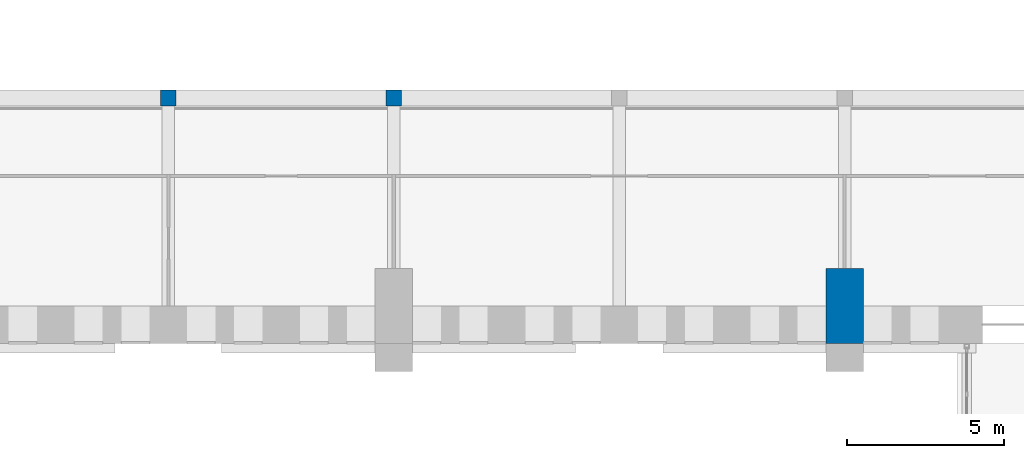
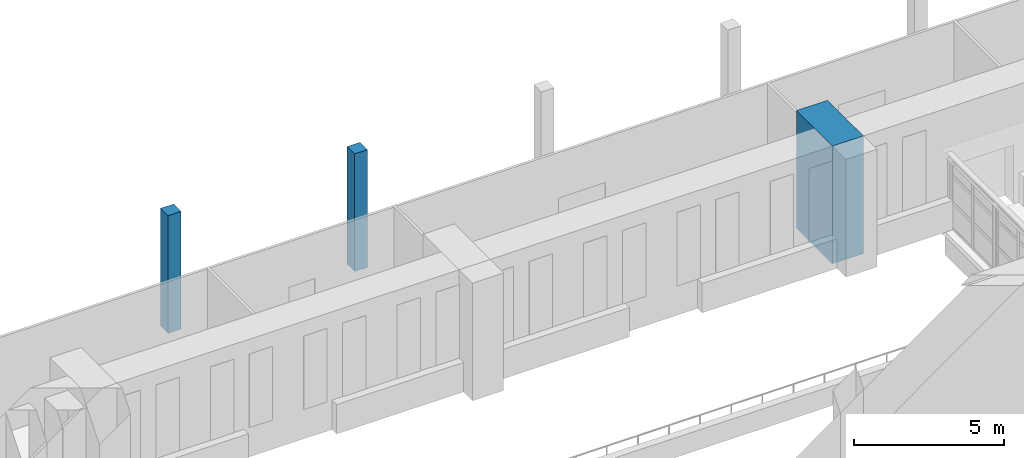
# One storey, part 9 of 131: 3 columns.
"""IFC4 building model written with IfcOpenShell, lengths in metres."""

from ifc_helpers import new_model, si_unit, direction, frame, origin, origin_2d, place, context, subcontext, project, spatial, rectangle, extrude, material, material_profile, profile_set, type_object, element, save


model = new_model("IFC4")

# Units and contexts
model_context = context("Model", 3, precision=1e-05, world=origin(), true_north=direction((0.0, 1.0)))
body_context = subcontext(model_context, "Body", "Model", "MODEL_VIEW")
ifc_project = project(units=[si_unit("LENGTHUNIT", "METRE"), si_unit("AREAUNIT", "SQUARE_METRE"), si_unit("VOLUMEUNIT", "CUBIC_METRE"), si_unit("PLANEANGLEUNIT", "RADIAN"), si_unit("MASSUNIT", "GRAM", prefix="KILO")], contexts=[model_context])

# Site, building, storey
site_placement = place(None, origin())
site = spatial("IfcSite", under=ifc_project, at=site_placement, CompositionType="ELEMENT")
building_placement = place(site_placement, origin())
building = spatial("IfcBuilding", under=site, at=building_placement, Name="Alderwick Market Hall", CompositionType="ELEMENT")
storey_placement = place(building_placement, frame((0.0, 0.0, 4.800048828125)))
storey = spatial("IfcBuildingStorey", under=building, at=storey_placement, Name="L00", CompositionType="ELEMENT", Elevation=4.800048828125)

# Columns
ifc_material = material(Name="Concrete 5000 psi (f'c 35 MPa)", Category="concrete")
ifc_material_profile_1 = material_profile(ifc_material, rectangle(XDim=0.5, YDim=0.5, at=origin_2d()), Name="RC 500x500")
ifc_profile_set_1 = profile_set([ifc_material_profile_1], Name="Concrete 5000 psi (f'c 35 MPa)")
column_type_1 = type_object("IfcColumnType", Name="H Column 500x500", PredefinedType="COLUMN", material=ifc_profile_set_1)
for number, where, z_axis, x_axis, name in (
    (1, (100.800048828125, 57.639892578125, 0.0), (0.0, 0.0, 1.0), (1.0, 0.0, 0.0), "Gallery column S11"),
    (2, (108.0, 57.639892578125, 0.0), (0.0, 0.0, 1.0), (1.0, 0.0, 0.0), "Gallery column S13"),
):
    element("IfcColumn", number, at=place(storey_placement, frame(where, z_axis=z_axis, x_axis=x_axis)), inside=storey, type_object=column_type_1, Name=name, PredefinedType="COLUMN", context=body_context, shape_type="SweptSolid", body=[
        extrude(rectangle(XDim=0.5, YDim=0.5, at=origin_2d()), origin(), (0.0, 0.0, 1.0), 4.800048828125),
    ])
ifc_material_profile_2 = material_profile(ifc_material, rectangle(XDim=1.199951171875, YDim=2.39990234375, at=origin_2d()), Name="RC 1200x2400")
ifc_profile_set_2 = profile_set([ifc_material_profile_2], Name="Concrete 5000 psi (f'c 35 MPa)")
column_type_2 = type_object("IfcColumnType", Name="R Buttress Pier 1200x2400", PredefinedType="COLUMN", material=ifc_profile_set_2)
column_placement = place(storey_placement, frame((122.39990234375, 51.0, 0.0), z_axis=(0.0, 0.0, 1.0), x_axis=(1.0, 0.0, 0.0)))
element("IfcColumn", 3, at=column_placement, inside=storey, type_object=column_type_2, Name="Buttress pier S6 L00", PredefinedType="COLUMN", context=body_context, shape_type="SweptSolid", body=[
    extrude(rectangle(XDim=1.199951171875, YDim=2.39990234375, at=origin_2d()), origin(), (0.0, 0.0, 1.0), 4.800048828125),
])

save(model, "model.ifc")
